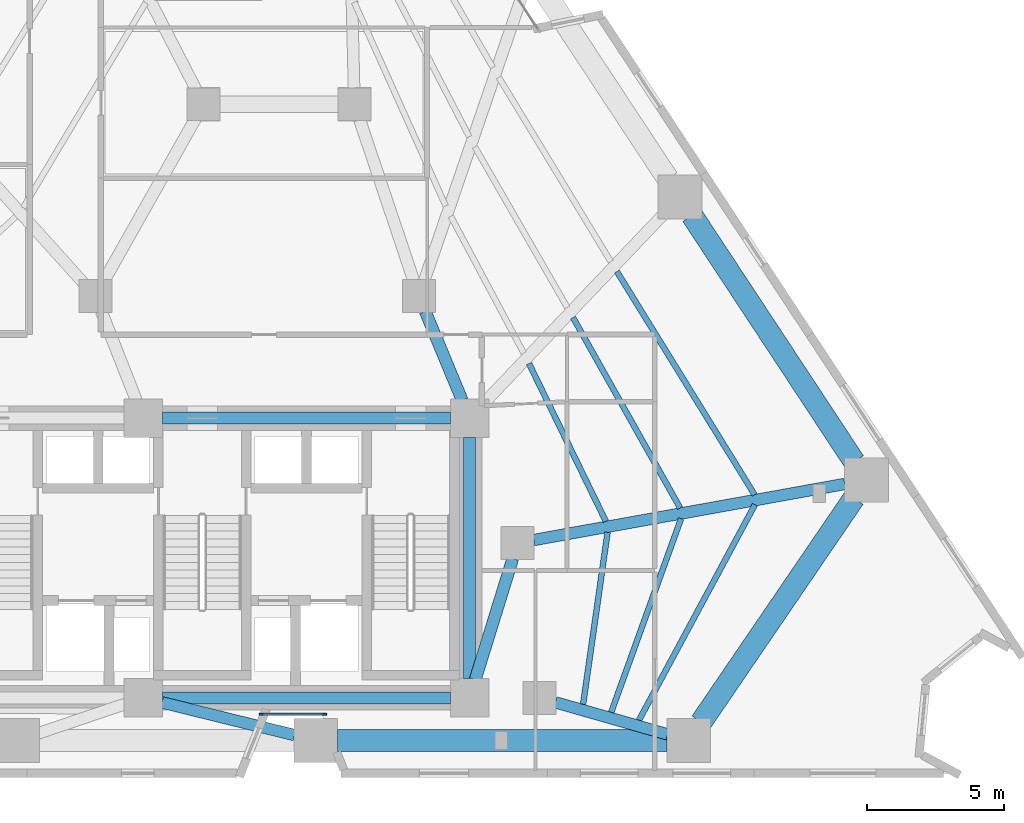
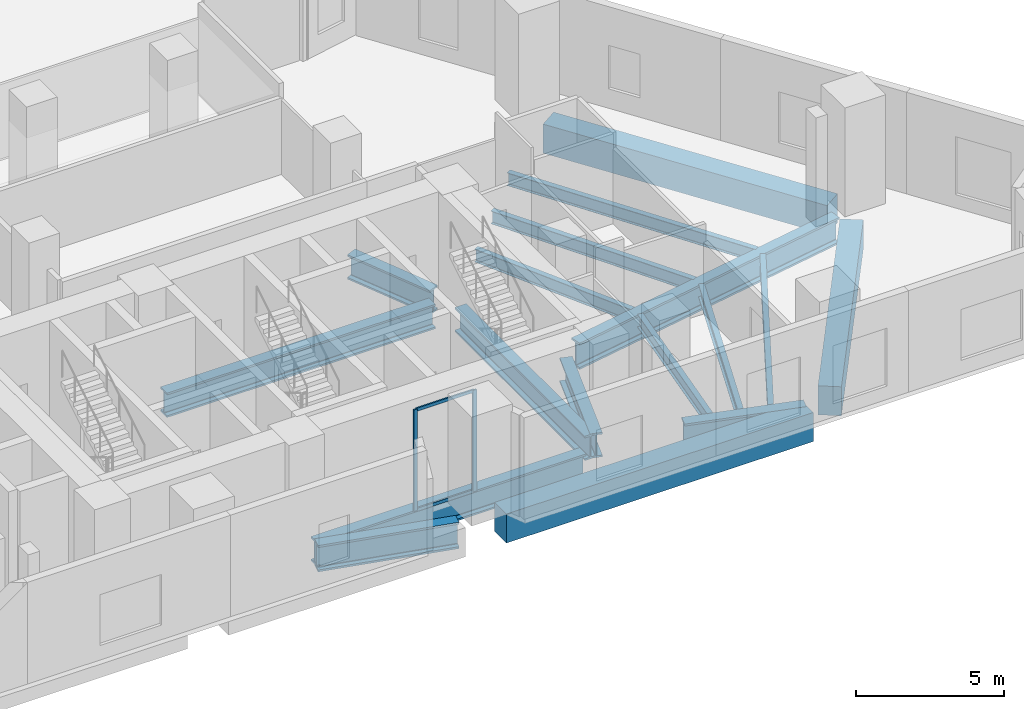
# One storey, part 3 of 12: 17 beams, 4 members, 1 element without a shape of its own.
"""IFC4 building model written with IfcOpenShell, lengths in metres."""

import ifcopenshell
import ifcopenshell.guid

model = None  # the IFC model being written
_history = None  # IfcOwnerHistory: only IFC2X3 demands one
_inside = {}  # id of a spatial element -> (the spatial element, [elements in it])
_under = {}  # id of a project, library or spatial element -> (it, [spatial elements below it])
_declared = {}  # id of a project -> (the project, [libraries it declares])
_typed = {}  # id of a type object -> (the type object, [elements of that type])
_made_of = {}  # id of a material, layer set ... -> (it, [elements and type objects made of it])


def new_model(schema):
    """Start an empty IFC model of exactly this schema.

    Asked for "IFC4X3", IfcOpenShell would pick the latest addendum, in which some entities
    have other attributes; the version numbers below select the first issue.
    IFC2X3 requires an IfcOwnerHistory on every rooted entity: one is made here for all.
    """
    global model, _history
    if schema == "IFC4X3":
        model = ifcopenshell.file(schema_version=(4, 3, 0, 0))
    else:
        model = ifcopenshell.file(schema=schema)
    _inside.clear()
    _under.clear()
    _declared.clear()
    _typed.clear()
    _made_of.clear()
    _history = None
    if model.schema == "IFC2X3":
        org = make("IfcOrganization", Name="unknown")
        user = make(
            "IfcPersonAndOrganization",
            ThePerson=make("IfcPerson", FamilyName="unknown"),
            TheOrganization=org,
        )
        app = make(
            "IfcApplication",
            ApplicationDeveloper=org,
            Version="unknown",
            ApplicationFullName="unknown",
            ApplicationIdentifier="unknown",
        )
        _history = make(
            "IfcOwnerHistory",
            OwningUser=user,
            OwningApplication=app,
            ChangeAction="ADDED",
            CreationDate=0,
        )
    return model


def make(cls, **values):
    """One entity of the class cls with the attributes given. An attribute that is None is left unset."""
    return model.create_entity(
        cls, **{name: value for name, value in values.items() if value is not None}
    )


def rooted(cls, **values):
    """An entity with a GlobalId (a new one), such as an element, a storey or a relation."""
    return make(cls, GlobalId=ifcopenshell.guid.new(), OwnerHistory=_history, **values)


def si_unit(unit_type, name, prefix=None):
    """IfcSIUnit, for example si_unit("LENGTHUNIT", "METRE", prefix="MILLI")."""
    return make("IfcSIUnit", UnitType=unit_type, Prefix=prefix, Name=name)


def assignment(units):
    """IfcUnitAssignment: the units of a project."""
    return None if units is None else make("IfcUnitAssignment", Units=units)


def point(xyz):
    """IfcCartesianPoint."""
    return None if xyz is None else make("IfcCartesianPoint", Coordinates=xyz)


def direction(xyz):
    """IfcDirection."""
    return None if xyz is None else make("IfcDirection", DirectionRatios=xyz)


def frame(location, z_axis=None, x_axis=None):
    """IfcAxis2Placement3D, a coordinate frame: its origin and axes. An axis left out is left unset."""
    return make(
        "IfcAxis2Placement3D",
        Location=point(location),
        Axis=direction(z_axis),
        RefDirection=direction(x_axis),
    )


def frame_2d(location, x_axis=None):
    """IfcAxis2Placement2D, a coordinate frame in the plane: its origin and x axis."""
    return make(
        "IfcAxis2Placement2D", Location=point(location), RefDirection=direction(x_axis)
    )


def origin():
    """The frame at (0, 0, 0) with its axes left unset."""
    return frame((0.0, 0.0, 0.0))


def origin_2d():
    """The frame at (0, 0) in the plane with its x axis left unset."""
    return frame_2d((0.0, 0.0))


def place(relative_to, where):
    """IfcLocalPlacement: puts the frame where relative to a parent placement (None: the world)."""
    return make(
        "IfcLocalPlacement", PlacementRelTo=relative_to, RelativePlacement=where
    )


def context(
    kind, dimensions, precision=None, world=None, true_north=None, identifier=None
):
    """IfcGeometricRepresentationContext, for example the 3D "Model" context."""
    return make(
        "IfcGeometricRepresentationContext",
        ContextIdentifier=identifier,
        ContextType=kind,
        CoordinateSpaceDimension=dimensions,
        Precision=precision,
        WorldCoordinateSystem=world,
        TrueNorth=true_north,
    )


def subcontext(parent, identifier, kind, view, scale=None):
    """IfcGeometricRepresentationSubContext, for example "Body" below "Model"."""
    return make(
        "IfcGeometricRepresentationSubContext",
        ContextIdentifier=identifier,
        ContextType=kind,
        ParentContext=parent,
        TargetScale=scale,
        TargetView=view,
    )


def project(units=None, contexts=None):
    """IfcProject with its units and contexts."""
    return rooted(
        "IfcProject",
        Name="project",
        RepresentationContexts=contexts,
        UnitsInContext=assignment(units),
    )


def spatial(cls, under=None, at=None, **own):
    """A site, building, storey or space (cls), placed at a placement, below another one or the project."""
    s = rooted(cls, ObjectPlacement=at, **own)
    if under is not None:
        _under.setdefault(under.id(), (under, []))[1].append(s)
    return s


def profile(cls, at=None, kind="AREA", **sizes):
    """A parametric profile (cls). Its sizes go by their IFC names, for example OverallWidth=200.0."""
    return make(cls, ProfileType=kind, Position=at, **sizes)


def rectangle(**sizes):
    """IfcRectangleProfileDef."""
    return profile("IfcRectangleProfileDef", **sizes)


def i_section(**sizes):
    """IfcIShapeProfileDef."""
    return profile("IfcIShapeProfileDef", **sizes)


def extrude(swept, where, along, depth):
    """IfcExtrudedAreaSolid: the profile swept, set in the frame where, extruded along a direction by depth."""
    return make(
        "IfcExtrudedAreaSolid",
        SweptArea=swept,
        Position=where,
        ExtrudedDirection=direction(along),
        Depth=depth,
    )


def shape(context_of_items, identifier, shape_type, items):
    """IfcShapeRepresentation: the items that make up one representation, for example the "Body"."""
    return make(
        "IfcShapeRepresentation",
        ContextOfItems=context_of_items,
        RepresentationIdentifier=identifier,
        RepresentationType=shape_type,
        Items=items,
    )


def material(Name=None, Category=None):
    """IfcMaterial."""
    return make("IfcMaterial", Name=Name, Category=Category)


def layer(
    of_material, thickness, ventilated=None, Name=None, Category=None, Priority=None
):
    """IfcMaterialLayer: one layer of a wall or slab, of a material (None: an air gap)."""
    return make(
        "IfcMaterialLayer",
        Material=of_material,
        LayerThickness=thickness,
        IsVentilated=ventilated,
        Name=Name,
        Category=Category,
        Priority=Priority,
    )


def layer_set(layers, Name=None):
    """IfcMaterialLayerSet."""
    return make("IfcMaterialLayerSet", MaterialLayers=layers, LayerSetName=Name)


def material_profile(
    of_material, cross_section, Name=None, Category=None, Priority=None
):
    """IfcMaterialProfile: a cross section and its material."""
    return make(
        "IfcMaterialProfile",
        Name=Name,
        Material=of_material,
        Profile=cross_section,
        Priority=Priority,
        Category=Category,
    )


def profile_set(profiles, Name=None, composite=None):
    """IfcMaterialProfileSet."""
    return make(
        "IfcMaterialProfileSet",
        Name=Name,
        MaterialProfiles=profiles,
        CompositeProfile=composite,
    )


def made_of(thing, what):
    """Note that an element or type object is made of a material, layer set ...; save() writes the relation."""
    if what is not None:
        _made_of.setdefault(what.id(), (what, []))[1].append(thing)
    return thing


def type_object(cls, material=None, **own):
    """A type object (cls), such as IfcWallType, which elements share."""
    return made_of(rooted(cls, **own), material)


def element(
    cls,
    number,
    at=None,
    inside=None,
    cuts=None,
    type_object=None,
    material=None,
    context=None,
    identifier="Body",
    shape_type=None,
    held_by="IfcProductDefinitionShape",
    body=None,
    shapes=None,
    **own,
):
    """One element of the class cls, such as IfcWall. Its Tag is "e" and its number.

    at: its placement. inside: the storey or other place that contains it. cuts: it is an
    opening in that element (IfcRelVoidsElement). A single representation is given by context,
    identifier, shape_type and body (its items); several are given by shapes. held_by: the class
    of the entity that holds the representations. save() writes the other relations.
    """
    e = rooted(cls, Tag="e%d" % number, ObjectPlacement=at, **own)
    if body is not None:
        shapes = [shape(context, identifier, shape_type, body)]
    if shapes is not None:
        e.Representation = make(held_by, Representations=shapes)
    if inside is not None:
        _inside.setdefault(inside.id(), (inside, []))[1].append(e)
    if cuts is not None:
        rooted(
            "IfcRelVoidsElement", RelatingBuildingElement=cuts, RelatedOpeningElement=e
        )
    if type_object is not None:
        _typed.setdefault(type_object.id(), (type_object, []))[1].append(e)
    return made_of(e, material)


def aggregate(whole, parts):
    """IfcRelAggregates: a whole, such as a stair, and the parts it consists of."""
    return rooted("IfcRelAggregates", RelatingObject=whole, RelatedObjects=parts)


def save(model, path):
    """Write the relations noted so far, then the file.

    IfcRelAggregates (storeys below a building ...), IfcRelContainedInSpatialStructure (elements
    in a storey), IfcRelDefinesByType, IfcRelAssociatesMaterial and IfcRelDeclares: one each for
    every whole, place, type object, material and project.
    """
    for whole, parts in _under.values():
        aggregate(whole, parts)
    for where, things in _inside.values():
        rooted(
            "IfcRelContainedInSpatialStructure",
            RelatedElements=things,
            RelatingStructure=where,
        )
    for kind, things in _typed.values():
        rooted("IfcRelDefinesByType", RelatedObjects=things, RelatingType=kind)
    for what, things in _made_of.values():
        rooted("IfcRelAssociatesMaterial", RelatedObjects=things, RelatingMaterial=what)
    for by, libraries in _declared.values():
        rooted("IfcRelDeclares", RelatingContext=by, RelatedDefinitions=libraries)
    model.write(path)


model = new_model("IFC4")

# Units and contexts
model_context = context("Model", 3, precision=1e-05, world=origin(), true_north=direction((0.0, 1.0)))
body_context = subcontext(model_context, "Body", "Model", "MODEL_VIEW")
ifc_project = project(units=[si_unit("LENGTHUNIT", "METRE"), si_unit("AREAUNIT", "SQUARE_METRE"), si_unit("VOLUMEUNIT", "CUBIC_METRE"), si_unit("PLANEANGLEUNIT", "RADIAN"), si_unit("MASSUNIT", "GRAM", prefix="KILO")], contexts=[model_context])

# Site, building, storey
site_placement = place(None, origin())
site = spatial("IfcSite", under=ifc_project, at=site_placement, CompositionType="ELEMENT")
building_placement = place(site_placement, origin())
building = spatial("IfcBuilding", under=site, at=building_placement, Name="Almagre Mirador Tower", CompositionType="ELEMENT")
storey_placement = place(building_placement, frame((0.0, 0.0, 17.39990234375)))
storey = spatial("IfcBuildingStorey", under=building, at=storey_placement, Name="L03", CompositionType="ELEMENT", Elevation=17.39990234375)

# Beams
ifc_material_1 = material(Name="Steel ASTM A992 Grade 50", Category="steel")
ifc_material_profile_1 = material_profile(ifc_material_1, i_section(OverallWidth=0.208984375, OverallDepth=0.532958984375, WebThickness=0.01025390625, FlangeThickness=0.015625, FilletRadius=0.01806640625, at=origin_2d()), Name="W21X62")
ifc_profile_set_1 = profile_set([ifc_material_profile_1], Name="Steel ASTM A992 Grade 50")
beam_type_1 = type_object("IfcBeamType", Name="BM-JST-W21X62", PredefinedType="JOIST", material=ifc_profile_set_1)
beam_1_placement = place(storey_placement, frame((53.224853515625, 3.732421875, -0.56640625), z_axis=(0.473970950785, 0.880540480508, 0.0), x_axis=(-0.880540480508, 0.473970950785, 0.0)))
element("IfcBeam", 1, at=beam_1_placement, inside=storey, type_object=beam_type_1, Name="L03 secondary floor joist PC04-PC05.1", PredefinedType="JOIST", context=body_context, shape_type="SweptSolid", body=[
    extrude(i_section(OverallWidth=0.208984375, OverallDepth=0.532958984375, WebThickness=0.01025390625, FlangeThickness=0.015625, FilletRadius=0.01806640625, at=origin_2d()), origin(), (0.0, 0.0, 1.0), 8.925048828125),
])
beam_2_placement = place(storey_placement, frame((52.2138671875, 4.025146484375, -0.56640625), z_axis=(0.339368785109, 0.940653404658, 0.0), x_axis=(-0.940653404658, 0.339368785109, 0.0)))
element("IfcBeam", 2, at=beam_2_placement, inside=storey, type_object=beam_type_1, Name="L03 secondary floor joist PC04-PC05.2", PredefinedType="JOIST", context=body_context, shape_type="SweptSolid", body=[
    extrude(i_section(OverallWidth=0.208984375, OverallDepth=0.532958984375, WebThickness=0.01025390625, FlangeThickness=0.015625, FilletRadius=0.01806640625, at=origin_2d()), origin(), (0.0, 0.0, 1.0), 7.50830078125),
])
beam_3_placement = place(storey_placement, frame((51.189208984375, 4.3154296875, -0.56640625), z_axis=(0.140978904218, 0.990012600205, 0.0), x_axis=(-0.990012600205, 0.140978904218, 0.0)))
element("IfcBeam", 3, at=beam_3_placement, inside=storey, type_object=beam_type_1, Name="L03 secondary floor joist PC04-PC05.3", PredefinedType="JOIST", context=body_context, shape_type="SweptSolid", body=[
    extrude(i_section(OverallWidth=0.208984375, OverallDepth=0.532958984375, WebThickness=0.01025390625, FlangeThickness=0.015625, FilletRadius=0.01806640625, at=origin_2d()), origin(), (0.0, 0.0, 1.0), 6.334716796875),
])
beam_4_placement = place(storey_placement, frame((57.444091796875, 11.958251953125, -0.56640625), z_axis=(-0.525163566065, 0.851001309563, 0.0), x_axis=(-0.851001309563, -0.525163566065, 0.0)))
element("IfcBeam", 4, at=beam_4_placement, inside=storey, type_object=beam_type_1, Name="L03 secondary floor joist PC05-PC06.1", PredefinedType="JOIST", context=body_context, shape_type="SweptSolid", body=[
    extrude(i_section(OverallWidth=0.208984375, OverallDepth=0.532958984375, WebThickness=0.01025390625, FlangeThickness=0.015625, FilletRadius=0.01806640625, at=origin_2d()), origin(), (0.0, 0.0, 1.0), 9.56591796875),
])
beam_5_placement = place(storey_placement, frame((54.729736328125, 11.47216796875, -0.56640625), z_axis=(-0.490313580475, 0.871546093331, 0.0), x_axis=(-0.871546093331, -0.490313580475, 0.0)))
element("IfcBeam", 5, at=beam_5_placement, inside=storey, type_object=beam_type_1, Name="L03 secondary floor joist PC05-PC06.2", PredefinedType="JOIST", context=body_context, shape_type="SweptSolid", body=[
    extrude(i_section(OverallWidth=0.208984375, OverallDepth=0.532958984375, WebThickness=0.01025390625, FlangeThickness=0.015625, FilletRadius=0.01806640625, at=origin_2d()), origin(), (0.0, 0.0, 1.0), 7.972412109375),
])
beam_6_placement = place(storey_placement, frame((52.019287109375, 10.987548828125, -0.56640625), z_axis=(-0.437849242012, 0.899048408746, 0.0), x_axis=(-0.899048408746, -0.437849242012, 0.0)))
element("IfcBeam", 6, at=beam_6_placement, inside=storey, type_object=beam_type_1, Name="L03 secondary floor joist PC05-PC06.3", PredefinedType="JOIST", context=body_context, shape_type="SweptSolid", body=[
    extrude(i_section(OverallWidth=0.208984375, OverallDepth=0.532958984375, WebThickness=0.01025390625, FlangeThickness=0.015625, FilletRadius=0.01806640625, at=origin_2d()), origin(), (0.0, 0.0, 1.0), 6.39892578125),
])
ifc_material_2 = material(Name="Precast concrete C50/60", Category="concrete")
ifc_material_profile_2 = material_profile(ifc_material_2, rectangle(XDim=0.800048828125, YDim=1.199951171875, at=origin_2d()), Name="RC800X1200")
ifc_profile_set_2 = profile_set([ifc_material_profile_2], Name="Precast concrete C50/60")
beam_type_2 = type_object("IfcBeamType", Name="BM-SPN-RC800X1200", PredefinedType="SPANDREL", material=ifc_profile_set_2)
beam_7_placement = place(storey_placement, frame((42.239990234375, 3.0, -0.89990234375), z_axis=(1.0, 0.0, 0.0), x_axis=(0.0, 1.0, 0.0)))
element("IfcBeam", 7, at=beam_7_placement, inside=storey, type_object=beam_type_2, Name="L03 perimeter spandrel beam PC03-PC04", PredefinedType="SPANDREL", context=body_context, shape_type="SweptSolid", body=[
    extrude(rectangle(XDim=0.800048828125, YDim=1.199951171875, at=origin_2d()), origin(), (0.0, 0.0, 1.0), 12.0),
])
beam_8_placement = place(storey_placement, frame((55.490966796875, 3.660888671875, -0.89990234375), z_axis=(0.563695189414, 0.825982889309, 0.0), x_axis=(-0.825982889309, 0.563695189414, 0.0)))
element("IfcBeam", 8, at=beam_8_placement, inside=storey, type_object=beam_type_2, Name="L03 perimeter spandrel beam PC04-PC05", PredefinedType="SPANDREL", context=body_context, shape_type="SweptSolid", body=[
    extrude(rectangle(XDim=0.800048828125, YDim=1.199951171875, at=origin_2d()), origin(), (0.0, 0.0, 1.0), 9.891845703125),
])
beam_9_placement = place(storey_placement, frame((61.077880859375, 13.159912109375, -0.89990234375), z_axis=(-0.550204417923, 0.835029998562, 0.0), x_axis=(-0.835029998562, -0.550204417923, 0.0)))
element("IfcBeam", 9, at=beam_9_placement, inside=storey, type_object=beam_type_2, Name="L03 perimeter spandrel beam PC05-PC06", PredefinedType="SPANDREL", context=body_context, shape_type="SweptSolid", body=[
    extrude(rectangle(XDim=0.800048828125, YDim=1.199951171875, at=origin_2d()), origin(), (0.0, 0.0, 1.0), 10.759033203125),
])
ifc_material_3 = material(Name="Steel ASTM A992 Grade 50", Category="steel")
ifc_material_profile_3 = material_profile(ifc_material_3, i_section(OverallWidth=0.43701171875, OverallDepth=1.010986328125, WebThickness=0.041015625, FlangeThickness=0.073974609375, FilletRadius=0.028076171875, at=origin_2d()), Name="W36X529")
ifc_profile_set_3 = profile_set([ifc_material_profile_3], Name="Steel ASTM A992 Grade 50")
beam_type_3 = type_object("IfcBeamType", Name="BM-STL-W36X529", PredefinedType="BEAM", material=ifc_profile_set_3)
for number, where, z_axis, x_axis, name in (
    (10, (35.85009765625, 4.550048828125, -0.805419921875), (1.0, 0.0, 0.0), (0.0, 1.0, 0.0), "L03 core tie girder CC2-CC3"),
    (11, (35.85009765625, 14.75, -0.805419921875), (1.0, 0.0, 0.0), (0.0, 1.0, 0.0), "L03 core tie girder CC5-CC6"),
):
    element("IfcBeam", number, at=place(storey_placement, frame(where, z_axis=z_axis, x_axis=x_axis)), inside=storey, type_object=beam_type_3, Name=name, PredefinedType="BEAM", context=body_context, shape_type="SweptSolid", body=[
        extrude(i_section(OverallWidth=0.43701171875, OverallDepth=1.010986328125, WebThickness=0.041015625, FlangeThickness=0.073974609375, FilletRadius=0.028076171875, at=origin_2d()), origin(), (0.0, 0.0, 1.0), 10.5),
    ])
beam_10_placement = place(storey_placement, frame((47.050048828125, 5.25, -0.805419921875), z_axis=(0.0, 1.0, 0.0), x_axis=(-1.0, 0.0, 0.0)))
element("IfcBeam", 12, at=beam_10_placement, inside=storey, type_object=beam_type_3, Name="L03 core tie girder CC3-CC6", PredefinedType="BEAM", context=body_context, shape_type="SweptSolid", body=[
    extrude(i_section(OverallWidth=0.43701171875, OverallDepth=1.010986328125, WebThickness=0.041015625, FlangeThickness=0.073974609375, FilletRadius=0.028076171875, at=origin_2d()), origin(), (0.0, 0.0, 1.0), 8.800048828125),
])
beam_11_placement = place(storey_placement, frame((48.62255859375, 9.626953125, -0.805419921875), z_axis=(-0.295888328273, -0.955222538046, 0.0), x_axis=(0.955222538046, -0.295888328273, 0.0)))
element("IfcBeam", 13, at=beam_11_placement, inside=storey, type_object=beam_type_3, Name="L03 core tie girder MC3-CC3", PredefinedType="BEAM", context=body_context, shape_type="SweptSolid", body=[
    extrude(i_section(OverallWidth=0.43701171875, OverallDepth=1.010986328125, WebThickness=0.041015625, FlangeThickness=0.073974609375, FilletRadius=0.028076171875, at=origin_2d()), origin(), (0.0, 0.0, 1.0), 4.61474609375),
])
beam_12_placement = place(storey_placement, frame((45.430419921875, 18.64599609375, -0.805419921875), z_axis=(0.383856635851, -0.923392702545, 0.0), x_axis=(0.923392702545, 0.383856635851, 0.0)))
element("IfcBeam", 14, at=beam_12_placement, inside=storey, type_object=beam_type_3, Name="L03 core tie girder MC5-CC6", PredefinedType="BEAM", context=body_context, shape_type="SweptSolid", body=[
    extrude(i_section(OverallWidth=0.43701171875, OverallDepth=1.010986328125, WebThickness=0.041015625, FlangeThickness=0.073974609375, FilletRadius=0.028076171875, at=origin_2d()), origin(), (0.0, 0.0, 1.0), 3.51904296875),
])
ifc_material_4 = material(Name="Steel ASTM A913 Grade 65", Category="steel")
ifc_material_profile_4 = material_profile(ifc_material_4, i_section(OverallWidth=0.424072265625, OverallDepth=1.092041015625, WebThickness=0.04541015625, FlangeThickness=0.08203125, FilletRadius=0.030029296875, at=origin_2d()), Name="W40X593")
ifc_profile_set_4 = profile_set([ifc_material_profile_4], Name="Steel ASTM A913 Grade 65")
beam_type_4 = type_object("IfcBeamType", Name="BM-STL-W40X593", PredefinedType="BEAM", material=ifc_profile_set_4)
beam_13_placement = place(storey_placement, frame((40.6630859375, 3.19140625, -0.845947265625), z_axis=(-0.970950577001, 0.239280122497, 0.0), x_axis=(-0.239280122497, -0.970950577001, 0.0)))
element("IfcBeam", 15, at=beam_13_placement, inside=storey, type_object=beam_type_4, Name="L03 radial floor girder PC03-CC2", PredefinedType="BEAM", context=body_context, shape_type="SweptSolid", body=[
    extrude(i_section(OverallWidth=0.424072265625, OverallDepth=1.092041015625, WebThickness=0.04541015625, FlangeThickness=0.08203125, FilletRadius=0.030029296875, at=origin_2d()), origin(), (0.0, 0.0, 1.0), 4.97802734375),
])
beam_14_placement = place(storey_placement, frame((54.2705078125, 3.21923828125, -0.845947265625), z_axis=(-0.961729302972, 0.274001364603, 0.0), x_axis=(-0.274001364603, -0.961729302972, 0.0)))
element("IfcBeam", 16, at=beam_14_placement, inside=storey, type_object=beam_type_4, Name="L03 radial floor girder PC04-MC2", PredefinedType="BEAM", context=body_context, shape_type="SweptSolid", body=[
    extrude(i_section(OverallWidth=0.424072265625, OverallDepth=1.092041015625, WebThickness=0.04541015625, FlangeThickness=0.08203125, FilletRadius=0.030029296875, at=origin_2d()), origin(), (0.0, 0.0, 1.0), 4.25634765625),
])
beam_15_placement = place(storey_placement, frame((60.730712890625, 12.35009765625, -0.845947265625), z_axis=(-0.984146362442, -0.177358217438, 0.0), x_axis=(0.177358217438, -0.984146362442, 0.0)))
element("IfcBeam", 17, at=beam_15_placement, inside=storey, type_object=beam_type_4, Name="L03 radial floor girder PC05-MC3", PredefinedType="BEAM", context=body_context, shape_type="SweptSolid", body=[
    extrude(i_section(OverallWidth=0.424072265625, OverallDepth=1.092041015625, WebThickness=0.04541015625, FlangeThickness=0.08203125, FilletRadius=0.030029296875, at=origin_2d()), origin(), (0.0, 0.0, 1.0), 11.52294921875),
])

# Curtain wall, members
ifc_material_5 = material(Name="Black anodized aluminium", Category="aluminium")
ifc_layer = layer(ifc_material_5, 0.169921875)
ifc_layer_set = layer_set([ifc_layer], Name="Black anodized aluminium")
curtain_wall_type = type_object("IfcCurtainWallType", Name="CW-CRS-SYS", PredefinedType="NOTDEFINED", material=ifc_layer_set)
curtain_wall_placement = place(storey_placement, origin())
curtain_wall = element("IfcCurtainWall", 18, at=curtain_wall_placement, inside=storey, type_object=curtain_wall_type, Name="L03 vertical crease curtain wall 06", PredefinedType="NOTDEFINED")
ifc_material_6 = material(Name="Black anodized aluminium", Category="aluminium")
ifc_material_profile_5 = material_profile(ifc_material_6, rectangle(XDim=0.06005859375, YDim=0.14990234375, at=origin_2d()), Name="CWM60X150")
ifc_profile_set_5 = profile_set([ifc_material_profile_5], Name="Black anodized aluminium")
member_type_1 = type_object("IfcMemberType", Name="MBR-CWM60X150", PredefinedType="MULLION", material=ifc_profile_set_5)
member_1_placement = place(storey_placement, frame((41.762939453125, 3.949951171875, 0.0), z_axis=(0.0, 0.0, 1.0), x_axis=(0.0, -1.0, 0.0)))
member_1 = element("IfcMember", 19, at=member_1_placement, type_object=member_type_1, Name="CW-4 mullion 1", PredefinedType="MULLION", context=body_context, shape_type="SweptSolid", body=[
    extrude(rectangle(XDim=0.06005859375, YDim=0.14990234375, at=origin_2d()), origin(), (0.0, 0.0, 1.0), 4.2001953125),
])
member_2_placement = place(storey_placement, frame((39.452880859375, 3.949951171875, 0.0), z_axis=(0.0, 0.0, 1.0), x_axis=(0.0, -1.0, 0.0)))
member_2 = element("IfcMember", 20, at=member_2_placement, type_object=member_type_1, Name="CW-4 mullion 2", PredefinedType="MULLION", context=body_context, shape_type="SweptSolid", body=[
    extrude(rectangle(XDim=0.06005859375, YDim=0.14990234375, at=origin_2d()), origin(), (0.0, 0.0, 1.0), 4.2001953125),
])
ifc_material_7 = material(Name="Black anodized aluminium", Category="aluminium")
ifc_material_profile_6 = material_profile(ifc_material_7, rectangle(XDim=0.06005859375, YDim=0.1298828125, at=origin_2d()), Name="CWT60X130")
ifc_profile_set_6 = profile_set([ifc_material_profile_6], Name="Black anodized aluminium")
member_type_2 = type_object("IfcMemberType", Name="MBR-CWT60X130", PredefinedType="USERDEFINED", material=ifc_profile_set_6)
member_3_placement = place(storey_placement, frame((41.73291015625, 3.949951171875, 0.030029296875), z_axis=(-1.0, 0.0, 0.0), x_axis=(0.0, -1.0, 0.0)))
member_3 = element("IfcMember", 21, at=member_3_placement, type_object=member_type_2, Name="CW-4 transom 1.1", ObjectType="TRANSOM", PredefinedType="USERDEFINED", context=body_context, shape_type="SweptSolid", body=[
    extrude(rectangle(XDim=0.06005859375, YDim=0.1298828125, at=origin_2d()), origin(), (0.0, 0.0, 1.0), 2.25),
])
member_4_placement = place(storey_placement, frame((41.73291015625, 3.949951171875, 4.170166015625), z_axis=(-1.0, 0.0, 0.0), x_axis=(0.0, -1.0, 0.0)))
member_4 = element("IfcMember", 22, at=member_4_placement, type_object=member_type_2, Name="CW-4 transom 1.2", ObjectType="TRANSOM", PredefinedType="USERDEFINED", context=body_context, shape_type="SweptSolid", body=[
    extrude(rectangle(XDim=0.06005859375, YDim=0.1298828125, at=origin_2d()), origin(), (0.0, 0.0, 1.0), 2.25),
])
aggregate(curtain_wall, [member_1, member_2, member_3, member_4])

save(model, "model.ifc")
